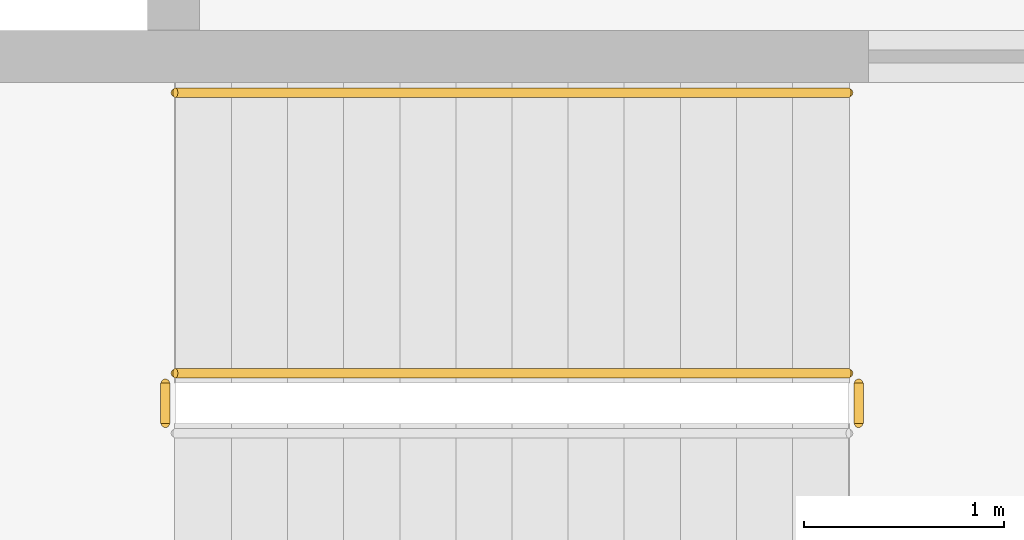
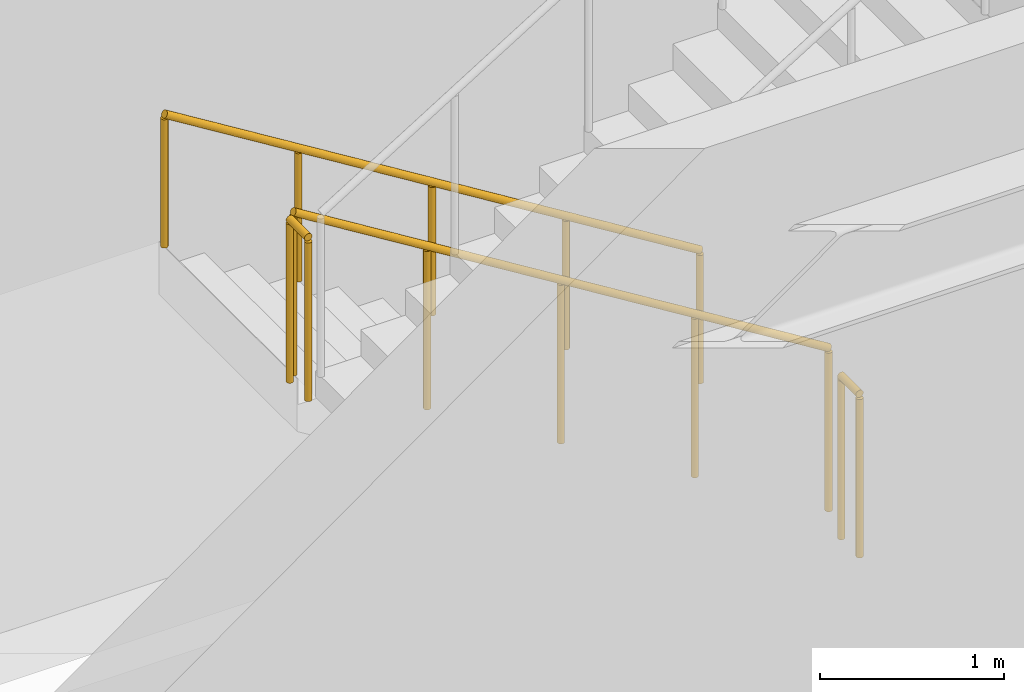
# One storey, part 56 of 61: 4 railings.
"""IFC4 building model written with IfcOpenShell, lengths in metres."""

import ifcopenshell
import ifcopenshell.guid

model = None  # the IFC model being written
_history = None  # IfcOwnerHistory: only IFC2X3 demands one
_inside = {}  # id of a spatial element -> (the spatial element, [elements in it])
_under = {}  # id of a project, library or spatial element -> (it, [spatial elements below it])
_declared = {}  # id of a project -> (the project, [libraries it declares])
_typed = {}  # id of a type object -> (the type object, [elements of that type])
_made_of = {}  # id of a material, layer set ... -> (it, [elements and type objects made of it])


def new_model(schema):
    """Start an empty IFC model of exactly this schema.

    Asked for "IFC4X3", IfcOpenShell would pick the latest addendum, in which some entities
    have other attributes; the version numbers below select the first issue.
    IFC2X3 requires an IfcOwnerHistory on every rooted entity: one is made here for all.
    """
    global model, _history
    if schema == "IFC4X3":
        model = ifcopenshell.file(schema_version=(4, 3, 0, 0))
    else:
        model = ifcopenshell.file(schema=schema)
    _inside.clear()
    _under.clear()
    _declared.clear()
    _typed.clear()
    _made_of.clear()
    _history = None
    if model.schema == "IFC2X3":
        org = make("IfcOrganization", Name="unknown")
        user = make(
            "IfcPersonAndOrganization",
            ThePerson=make("IfcPerson", FamilyName="unknown"),
            TheOrganization=org,
        )
        app = make(
            "IfcApplication",
            ApplicationDeveloper=org,
            Version="unknown",
            ApplicationFullName="unknown",
            ApplicationIdentifier="unknown",
        )
        _history = make(
            "IfcOwnerHistory",
            OwningUser=user,
            OwningApplication=app,
            ChangeAction="ADDED",
            CreationDate=0,
        )
    return model


def make(cls, **values):
    """One entity of the class cls with the attributes given. An attribute that is None is left unset."""
    return model.create_entity(
        cls, **{name: value for name, value in values.items() if value is not None}
    )


def rooted(cls, **values):
    """An entity with a GlobalId (a new one), such as an element, a storey or a relation."""
    return make(cls, GlobalId=ifcopenshell.guid.new(), OwnerHistory=_history, **values)


def si_unit(unit_type, name, prefix=None):
    """IfcSIUnit, for example si_unit("LENGTHUNIT", "METRE", prefix="MILLI")."""
    return make("IfcSIUnit", UnitType=unit_type, Prefix=prefix, Name=name)


def assignment(units):
    """IfcUnitAssignment: the units of a project."""
    return None if units is None else make("IfcUnitAssignment", Units=units)


def point(xyz):
    """IfcCartesianPoint."""
    return None if xyz is None else make("IfcCartesianPoint", Coordinates=xyz)


def direction(xyz):
    """IfcDirection."""
    return None if xyz is None else make("IfcDirection", DirectionRatios=xyz)


def frame(location, z_axis=None, x_axis=None):
    """IfcAxis2Placement3D, a coordinate frame: its origin and axes. An axis left out is left unset."""
    return make(
        "IfcAxis2Placement3D",
        Location=point(location),
        Axis=direction(z_axis),
        RefDirection=direction(x_axis),
    )


def frame_2d(location, x_axis=None):
    """IfcAxis2Placement2D, a coordinate frame in the plane: its origin and x axis."""
    return make(
        "IfcAxis2Placement2D", Location=point(location), RefDirection=direction(x_axis)
    )


def origin():
    """The frame at (0, 0, 0) with its axes left unset."""
    return frame((0.0, 0.0, 0.0))


def origin_2d():
    """The frame at (0, 0) in the plane with its x axis left unset."""
    return frame_2d((0.0, 0.0))


def place(relative_to, where):
    """IfcLocalPlacement: puts the frame where relative to a parent placement (None: the world)."""
    return make(
        "IfcLocalPlacement", PlacementRelTo=relative_to, RelativePlacement=where
    )


def context(
    kind, dimensions, precision=None, world=None, true_north=None, identifier=None
):
    """IfcGeometricRepresentationContext, for example the 3D "Model" context."""
    return make(
        "IfcGeometricRepresentationContext",
        ContextIdentifier=identifier,
        ContextType=kind,
        CoordinateSpaceDimension=dimensions,
        Precision=precision,
        WorldCoordinateSystem=world,
        TrueNorth=true_north,
    )


def subcontext(parent, identifier, kind, view, scale=None):
    """IfcGeometricRepresentationSubContext, for example "Body" below "Model"."""
    return make(
        "IfcGeometricRepresentationSubContext",
        ContextIdentifier=identifier,
        ContextType=kind,
        ParentContext=parent,
        TargetScale=scale,
        TargetView=view,
    )


def project(units=None, contexts=None):
    """IfcProject with its units and contexts."""
    return rooted(
        "IfcProject",
        Name="project",
        RepresentationContexts=contexts,
        UnitsInContext=assignment(units),
    )


def spatial(cls, under=None, at=None, **own):
    """A site, building, storey or space (cls), placed at a placement, below another one or the project."""
    s = rooted(cls, ObjectPlacement=at, **own)
    if under is not None:
        _under.setdefault(under.id(), (under, []))[1].append(s)
    return s


def profile(cls, at=None, kind="AREA", **sizes):
    """A parametric profile (cls). Its sizes go by their IFC names, for example OverallWidth=200.0."""
    return make(cls, ProfileType=kind, Position=at, **sizes)


def circle(**sizes):
    """IfcCircleProfileDef."""
    return profile("IfcCircleProfileDef", **sizes)


def extrude(swept, where, along, depth):
    """IfcExtrudedAreaSolid: the profile swept, set in the frame where, extruded along a direction by depth."""
    return make(
        "IfcExtrudedAreaSolid",
        SweptArea=swept,
        Position=where,
        ExtrudedDirection=direction(along),
        Depth=depth,
    )


def shape(context_of_items, identifier, shape_type, items):
    """IfcShapeRepresentation: the items that make up one representation, for example the "Body"."""
    return make(
        "IfcShapeRepresentation",
        ContextOfItems=context_of_items,
        RepresentationIdentifier=identifier,
        RepresentationType=shape_type,
        Items=items,
    )


def material(Name=None, Category=None):
    """IfcMaterial."""
    return make("IfcMaterial", Name=Name, Category=Category)


def made_of(thing, what):
    """Note that an element or type object is made of a material, layer set ...; save() writes the relation."""
    if what is not None:
        _made_of.setdefault(what.id(), (what, []))[1].append(thing)
    return thing


def type_object(cls, material=None, **own):
    """A type object (cls), such as IfcWallType, which elements share."""
    return made_of(rooted(cls, **own), material)


def element(
    cls,
    number,
    at=None,
    inside=None,
    cuts=None,
    type_object=None,
    material=None,
    context=None,
    identifier="Body",
    shape_type=None,
    held_by="IfcProductDefinitionShape",
    body=None,
    shapes=None,
    **own,
):
    """One element of the class cls, such as IfcWall. Its Tag is "e" and its number.

    at: its placement. inside: the storey or other place that contains it. cuts: it is an
    opening in that element (IfcRelVoidsElement). A single representation is given by context,
    identifier, shape_type and body (its items); several are given by shapes. held_by: the class
    of the entity that holds the representations. save() writes the other relations.
    """
    e = rooted(cls, Tag="e%d" % number, ObjectPlacement=at, **own)
    if body is not None:
        shapes = [shape(context, identifier, shape_type, body)]
    if shapes is not None:
        e.Representation = make(held_by, Representations=shapes)
    if inside is not None:
        _inside.setdefault(inside.id(), (inside, []))[1].append(e)
    if cuts is not None:
        rooted(
            "IfcRelVoidsElement", RelatingBuildingElement=cuts, RelatedOpeningElement=e
        )
    if type_object is not None:
        _typed.setdefault(type_object.id(), (type_object, []))[1].append(e)
    return made_of(e, material)


def aggregate(whole, parts):
    """IfcRelAggregates: a whole, such as a stair, and the parts it consists of."""
    return rooted("IfcRelAggregates", RelatingObject=whole, RelatedObjects=parts)


def save(model, path):
    """Write the relations noted so far, then the file.

    IfcRelAggregates (storeys below a building ...), IfcRelContainedInSpatialStructure (elements
    in a storey), IfcRelDefinesByType, IfcRelAssociatesMaterial and IfcRelDeclares: one each for
    every whole, place, type object, material and project.
    """
    for whole, parts in _under.values():
        aggregate(whole, parts)
    for where, things in _inside.values():
        rooted(
            "IfcRelContainedInSpatialStructure",
            RelatedElements=things,
            RelatingStructure=where,
        )
    for kind, things in _typed.values():
        rooted("IfcRelDefinesByType", RelatedObjects=things, RelatingType=kind)
    for what, things in _made_of.values():
        rooted("IfcRelAssociatesMaterial", RelatedObjects=things, RelatingMaterial=what)
    for by, libraries in _declared.values():
        rooted("IfcRelDeclares", RelatingContext=by, RelatedDefinitions=libraries)
    model.write(path)


model = new_model("IFC4")

# Units and contexts
model_context = context("Model", 3, precision=1e-05, world=origin(), true_north=direction((0.0, 1.0)))
body_context = subcontext(model_context, "Body", "Model", "MODEL_VIEW")
ifc_project = project(units=[si_unit("LENGTHUNIT", "METRE"), si_unit("AREAUNIT", "SQUARE_METRE"), si_unit("VOLUMEUNIT", "CUBIC_METRE"), si_unit("PLANEANGLEUNIT", "RADIAN"), si_unit("MASSUNIT", "GRAM", prefix="KILO")], contexts=[model_context])

# Site, building, storey
site_placement = place(None, origin())
site = spatial("IfcSite", under=ifc_project, at=site_placement, CompositionType="ELEMENT")
building_placement = place(site_placement, origin())
building = spatial("IfcBuilding", under=site, at=building_placement, Name="Fikremerkos Civic Library", CompositionType="ELEMENT")
storey_placement = place(building_placement, frame((0.0, 0.0, 14.39990234375)))
storey = spatial("IfcBuildingStorey", under=building, at=storey_placement, Name="L03", CompositionType="ELEMENT", Elevation=14.39990234375)

# Railings
ifc_material_1 = material(Name="Painted Steel S275", Category="steel")
railing_type_1 = type_object("IfcRailingType", Name="Interior balustrade guard RLG-INT 1100", PredefinedType="BALUSTRADE", material=ifc_material_1)
railing_1_placement = place(storey_placement, frame((53.5, 24.25, 0.173095703125)))
element("IfcRailing", 1, at=railing_1_placement, inside=storey, type_object=railing_type_1, Name="L03 ST-K3 stair guard 1", PredefinedType="BALUSTRADE", context=body_context, shape_type="SweptSolid", body=[
    extrude(circle(Radius=0.02392578125, at=origin_2d()), frame((0.0, 0.0, 1.076171875), z_axis=(-0.850623216509, 0.0, 0.525775754039), x_axis=(0.0, -1.0, 0.0)), (0.0, 0.0, 1.0), 3.9501953125),
    extrude(circle(Radius=0.02099609375, at=origin_2d()), origin(), (0.0, 0.0, 1.0), 1.052001953125),
    extrude(circle(Radius=0.02099609375, at=origin_2d()), frame((-0.840087890625, 0.0, 0.519287109375)), (0.0, 0.0, 1.0), 1.052001953125),
    extrude(circle(Radius=0.02099609375, at=origin_2d()), frame((-1.68017578125, 0.0, 1.03857421875)), (0.0, 0.0, 1.0), 1.052001953125),
    extrude(circle(Radius=0.02099609375, at=origin_2d()), frame((-2.52001953125, 0.0, 1.5576171875)), (0.0, 0.0, 1.0), 1.052001953125),
    extrude(circle(Radius=0.02099609375, at=origin_2d()), frame((-3.360107421875, 0.0, 2.076904296875)), (0.0, 0.0, 1.0), 1.052001953125),
])
for number, where, name in (
    (2, (50.090087890625, 24.199951171875, 2.25), "L03 ST-K3 stair guard 2"),
    (3, (53.550048828125, 24.199951171875, 0.0), "L03 ST-K3 stair guard 4"),
):
    element("IfcRailing", number, at=place(storey_placement, frame(where)), inside=storey, type_object=railing_type_1, Name=name, PredefinedType="BALUSTRADE", context=body_context, shape_type="SweptSolid", body=[
        extrude(circle(Radius=0.02392578125, at=origin_2d()), frame((0.0, 0.0, 1.076171875), z_axis=(0.0, -1.0, 0.0), x_axis=(1.0, 0.0, 0.0)), (0.0, 0.0, 1.0), 0.199951171875),
        extrude(circle(Radius=0.02099609375, at=origin_2d()), origin(), (0.0, 0.0, 1.0), 1.052001953125),
        extrude(circle(Radius=0.02099609375, at=origin_2d()), frame((0.0, -0.199951171875, 0.0)), (0.0, 0.0, 1.0), 1.052001953125),
    ])
ifc_material_2 = material(Name="Brushed stainless steel", Category="steel")
railing_type_2 = type_object("IfcRailingType", Name="Wall and flight handrail HRL-01 900", PredefinedType="HANDRAIL", material=ifc_material_2)
railing_2_placement = place(storey_placement, frame((53.5, 25.64990234375, 0.173095703125)))
element("IfcRailing", 4, at=railing_2_placement, inside=storey, type_object=railing_type_2, Name="L03 ST-K3 stair handrail 1", PredefinedType="HANDRAIL", context=body_context, shape_type="SweptSolid", body=[
    extrude(circle(Radius=0.02392578125, at=origin_2d()), frame((0.0, 0.0, 0.8759765625), z_axis=(-0.850623216509, 0.0, 0.525775754039), x_axis=(0.0, -1.0, 0.0)), (0.0, 0.0, 1.0), 3.9501953125),
    extrude(circle(Radius=0.02099609375, at=origin_2d()), origin(), (0.0, 0.0, 1.0), 0.851806640625),
    extrude(circle(Radius=0.02099609375, at=origin_2d()), frame((-0.840087890625, 0.0, 0.519287109375)), (0.0, 0.0, 1.0), 0.851806640625),
    extrude(circle(Radius=0.02099609375, at=origin_2d()), frame((-1.68017578125, 0.0, 1.03857421875)), (0.0, 0.0, 1.0), 0.851806640625),
    extrude(circle(Radius=0.02099609375, at=origin_2d()), frame((-2.52001953125, 0.0, 1.5576171875)), (0.0, 0.0, 1.0), 0.851806640625),
    extrude(circle(Radius=0.02099609375, at=origin_2d()), frame((-3.360107421875, 0.0, 2.076904296875)), (0.0, 0.0, 1.0), 0.851806640625),
])

save(model, "model.ifc")
